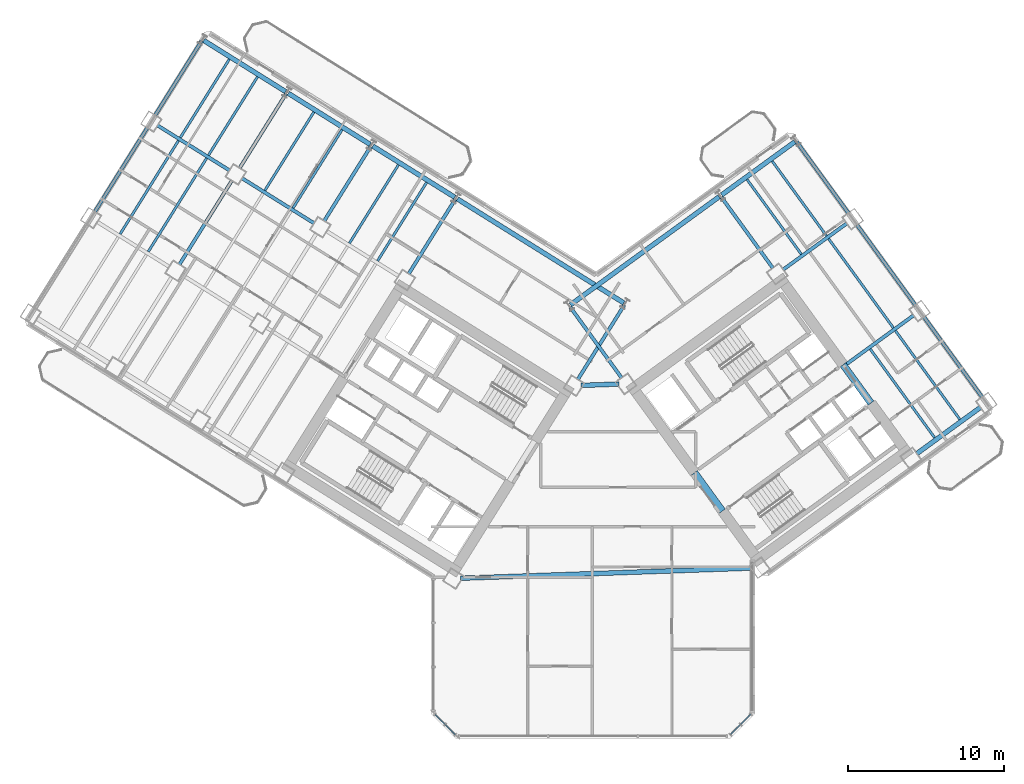
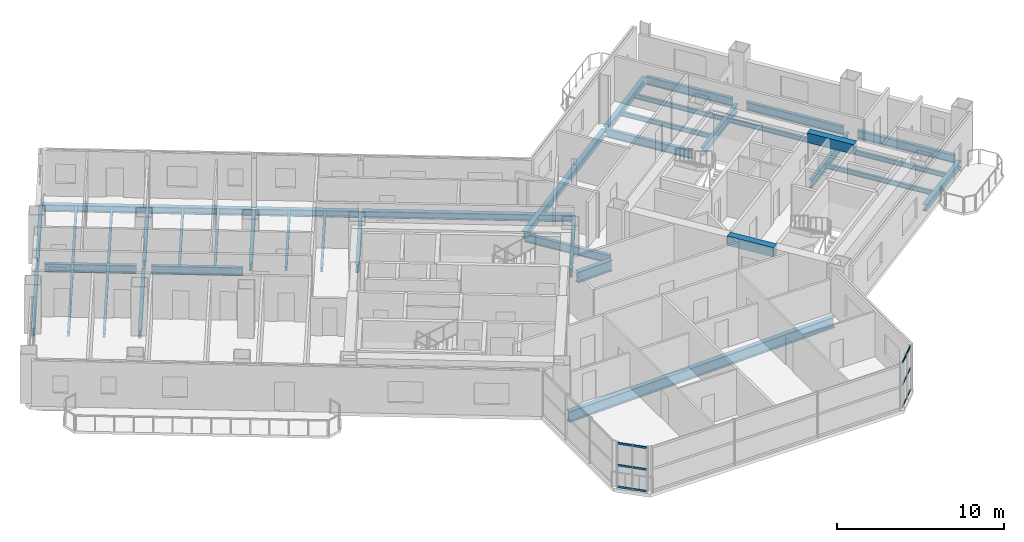
# One storey, part 7 of 21: 40 beams, 12 members, 2 elements without a shape of their own.
"""IFC4 building model written with IfcOpenShell, lengths in metres."""

from ifc_helpers import new_model, si_unit, direction, frame, origin, origin_2d, place, context, subcontext, project, spatial, rectangle, hollow_rectangle, i_section, extrude, source, transform, mapped, material, material_profile, profile_set, type_object, element, aggregate, save


model = new_model("IFC4")

# Units and contexts
model_context = context("Model", 3, precision=1e-05, world=origin(), true_north=direction((0.0, 1.0)))
body_context = subcontext(model_context, "Body", "Model", "MODEL_VIEW")
ifc_project = project(units=[si_unit("LENGTHUNIT", "METRE"), si_unit("AREAUNIT", "SQUARE_METRE"), si_unit("VOLUMEUNIT", "CUBIC_METRE"), si_unit("PLANEANGLEUNIT", "RADIAN"), si_unit("MASSUNIT", "GRAM", prefix="KILO")], contexts=[model_context])

# Site, building, storey
site_placement = place(None, origin())
site = spatial("IfcSite", under=ifc_project, at=site_placement, CompositionType="ELEMENT")
building_placement = place(site_placement, origin())
building = spatial("IfcBuilding", under=site, at=building_placement, Name="Tlacorven Tower", CompositionType="ELEMENT")
storey_placement = place(building_placement, frame((0.0, 0.0, 81.0)))
storey = spatial("IfcBuildingStorey", under=building, at=storey_placement, Name="L20", CompositionType="ELEMENT", Elevation=81.0)

# Beams
ifc_material_1 = material(Name="Concrete C60/75", Category="concrete")
ifc_material_profile_1 = material_profile(ifc_material_1, rectangle(XDim=0.449951171875, YDim=0.699951171875, at=origin_2d()), Name="RC 450X700")
ifc_profile_set_1 = profile_set([ifc_material_profile_1], Name="Concrete C60/75")
beam_type_1 = type_object("IfcBeamType", Name="BM-LNT-700", PredefinedType="LINTEL", material=ifc_profile_set_1)
shared_shape_1 = source(origin(), body_context, "Body", "SweptSolid", [
    extrude(rectangle(XDim=0.449951171875, YDim=0.699951171875, at=origin_2d()), origin(), (0.0, 0.0, 1.0), 3.050048828125),
])
for number, where, z_axis, x_axis, name in (
    (1, (50.318359375, 16.416015625, 2.969970703125), (-0.587776590479, 0.80902328748, 0.0), (-0.80902328748, -0.587776590479, 0.0), "L20 E core coupling lintel beam E1"),
    (2, (59.856689453125, 23.345947265625, 2.969970703125), (-0.587776590479, 0.80902328748, 0.0), (-0.80902328748, -0.587776590479, 0.0), "L20 E core coupling lintel beam E2"),
):
    element("IfcBeam", number, at=place(storey_placement, frame(where, z_axis=z_axis, x_axis=x_axis)), inside=storey, type_object=beam_type_1, Name=name, PredefinedType="LINTEL", context=body_context, shape_type="MappedRepresentation", body=[
        mapped(shared_shape_1, transform((0.0, 0.0, 0.0), scale=1.0)),
    ])
ifc_material_2 = material(Name="Steel S355J2", Category="steel")
ifc_material_profile_2 = material_profile(ifc_material_2, i_section(OverallWidth=0.300048828125, OverallDepth=0.800048828125, WebThickness=0.017578125, FlangeThickness=0.032958984375, at=origin_2d()), Name="HEB 800")
ifc_profile_set_2 = profile_set([ifc_material_profile_2], Name="Steel S355J2")
beam_type_2 = type_object("IfcBeamType", Name="BM-POD-800", PredefinedType="BEAM", material=ifc_profile_set_2)
shared_shape_2 = source(origin(), body_context, "Body", "SweptSolid", [
    extrude(i_section(OverallWidth=0.300048828125, OverallDepth=0.800048828125, WebThickness=0.017578125, FlangeThickness=0.032958984375, at=origin_2d()), origin(), (0.0, 0.0, 1.0), 2.44287109375),
])
beam_1_placement = place(storey_placement, frame((41.232666015625, 24.484130859375, -0.64990234375), z_axis=(0.999391550767, 0.034878765122, 0.0), x_axis=(-0.034878765122, 0.999391550767, 0.0)))
element("IfcBeam", 3, at=beam_1_placement, inside=storey, type_object=beam_type_2, Name="L20 Knuckle Link Girder 1", PredefinedType="BEAM", context=body_context, shape_type="MappedRepresentation", body=[
    mapped(shared_shape_2, transform((0.0, 0.0, 0.0), scale=1.0)),
])
shared_shape_3 = source(origin(), body_context, "Body", "SweptSolid", [
    extrude(i_section(OverallWidth=0.300048828125, OverallDepth=0.800048828125, WebThickness=0.017578125, FlangeThickness=0.032958984375, at=origin_2d()), origin(), (0.0, 0.0, 1.0), 18.771240234375),
])
beam_2_placement = place(storey_placement, frame((33.495849609375, 12.1025390625, -0.64990234375), z_axis=(0.999390514848, 0.034908434954, 0.0), x_axis=(-0.034908434954, 0.999390514848, 0.0)))
element("IfcBeam", 4, at=beam_2_placement, inside=storey, type_object=beam_type_2, Name="L20 Knuckle Link Girder 2", PredefinedType="BEAM", context=body_context, shape_type="MappedRepresentation", body=[
    mapped(shared_shape_3, transform((0.0, 0.0, 0.0), scale=1.0)),
])
ifc_material_profile_3 = material_profile(ifc_material_2, i_section(OverallWidth=0.219970703125, OverallDepth=0.60009765625, WebThickness=0.011962890625, FlangeThickness=0.01904296875, at=origin_2d()), Name="IPE 600")
ifc_profile_set_3 = profile_set([ifc_material_profile_3], Name="Steel S355J2")
beam_type_3 = type_object("IfcBeamType", Name="BM-TWR-600", PredefinedType="BEAM", material=ifc_profile_set_3)
shared_shape_4 = source(origin(), body_context, "Body", "SweptSolid", [
    extrude(i_section(OverallWidth=0.219970703125, OverallDepth=0.60009765625, WebThickness=0.011962890625, FlangeThickness=0.01904296875, at=origin_2d()), origin(), (0.0, 0.0, 1.0), 5.5),
])
for number, where, z_axis, x_axis, name in (
    (5, (24.118896484375, 34.88134765625, -0.550048828125), (-0.848050668838, 0.52991514706, 0.0), (-0.52991514706, -0.848050668838, 0.0), "L20 beam BM-L20-WL2-4"),
    (6, (18.69140625, 38.272705078125, -0.550048828125), (-0.848050668838, 0.52991514706, 0.0), (-0.52991514706, -0.848050668838, 0.0), "L20 beam BM-L20-WL2-5"),
):
    element("IfcBeam", number, at=place(storey_placement, frame(where, z_axis=z_axis, x_axis=x_axis)), inside=storey, type_object=beam_type_3, Name=name, PredefinedType="BEAM", context=body_context, shape_type="MappedRepresentation", body=[
        mapped(shared_shape_4, transform((0.0, 0.0, 0.0), scale=1.0)),
    ])
ifc_material_profile_4 = material_profile(ifc_material_2, i_section(OverallWidth=0.300048828125, OverallDepth=0.489990234375, WebThickness=0.011962890625, FlangeThickness=0.02294921875, at=origin_2d()), Name="HEA 500")
ifc_profile_set_4 = profile_set([ifc_material_profile_4], Name="Steel S355J2")
beam_type_4 = type_object("IfcBeamType", Name="BM-SPN-500", PredefinedType="SPANDREL", material=ifc_profile_set_4)
shared_shape_5 = source(origin(), body_context, "Body", "SweptSolid", [
    extrude(i_section(OverallWidth=0.300048828125, OverallDepth=0.489990234375, WebThickness=0.011962890625, FlangeThickness=0.02294921875, at=origin_2d()), origin(), (0.0, 0.0, 1.0), 12.599853515625),
])
beam_3_placement = place(storey_placement, frame((43.983642578125, 29.779296875, -0.4951171875), z_axis=(-0.848045108756, 0.529924045043, 0.0), x_axis=(-0.529924045043, -0.848045108756, 0.0)))
element("IfcBeam", 7, at=beam_3_placement, inside=storey, type_object=beam_type_4, Name="L20 beam BM-L20-WL1-1", PredefinedType="SPANDREL", context=body_context, shape_type="MappedRepresentation", body=[
    mapped(shared_shape_5, transform((0.0, 0.0, 0.0), scale=1.0)),
])
shared_shape_6 = source(origin(), body_context, "Body", "SweptSolid", [
    extrude(i_section(OverallWidth=0.300048828125, OverallDepth=0.489990234375, WebThickness=0.011962890625, FlangeThickness=0.02294921875, at=origin_2d()), origin(), (0.0, 0.0, 1.0), 6.199951171875),
])
beam_4_placement = place(storey_placement, frame((33.128662109375, 36.562255859375, -0.4951171875), z_axis=(-0.848051394107, 0.529913986372, 0.0), x_axis=(-0.529913986372, -0.848051394107, 0.0)))
element("IfcBeam", 8, at=beam_4_placement, inside=storey, type_object=beam_type_4, Name="L20 beam BM-L20-WL1-3", PredefinedType="SPANDREL", context=body_context, shape_type="MappedRepresentation", body=[
    mapped(shared_shape_6, transform((0.0, 0.0, 0.0), scale=1.0)),
])
shared_shape_7 = source(origin(), body_context, "Body", "SweptSolid", [
    extrude(i_section(OverallWidth=0.219970703125, OverallDepth=0.60009765625, WebThickness=0.011962890625, FlangeThickness=0.01904296875, at=origin_2d()), origin(), (0.0, 0.0, 1.0), 5.64990234375),
])
for number, where, z_axis, x_axis, name in (
    (9, (44.015380859375, 29.6416015625, -0.550048828125), (-0.529897948462, -0.848061415356, 0.0), (0.848061415356, -0.529897948462, 0.0), "L20 beam BM-L20-WT1-1"),
    (10, (33.160400390625, 36.424560546875, -0.550048828125), (-0.529897948462, -0.848061415356, 0.0), (0.848061415356, -0.529897948462, 0.0), "L20 beam BM-L20-WT3-1"),
    (11, (27.73291015625, 39.81591796875, -0.550048828125), (-0.529897948462, -0.848061415356, 0.0), (0.848061415356, -0.529897948462, 0.0), "L20 beam BM-L20-WT4-1"),
    (12, (53.5673828125, 32.00244140625, -0.550048828125), (-0.587755393186, 0.809038687444, 0.0), (-0.809038687444, -0.587755393186, 0.0), "L20 beam BM-L20-ET3-2"),
    (13, (58.421630859375, 35.529296875, -0.550048828125), (-0.587804223572, 0.809003210594, 0.0), (-0.809003210594, -0.587804223572, 0.0), "L20 beam BM-L20-ET4-3"),
):
    element("IfcBeam", number, at=place(storey_placement, frame(where, z_axis=z_axis, x_axis=x_axis)), inside=storey, type_object=beam_type_3, Name=name, PredefinedType="BEAM", context=body_context, shape_type="MappedRepresentation", body=[
        mapped(shared_shape_7, transform((0.0, 0.0, 0.0), scale=1.0)),
    ])
shared_shape_8 = source(origin(), body_context, "Body", "SweptSolid", [
    extrude(i_section(OverallWidth=0.219970703125, OverallDepth=0.60009765625, WebThickness=0.011962890625, FlangeThickness=0.01904296875, at=origin_2d()), origin(), (0.0, 0.0, 1.0), 5.650146484375),
])
for number, where, z_axis, x_axis, name in (
    (14, (22.305419921875, 43.20751953125, -0.550048828125), (-0.529929025184, -0.848041996759, 0.0), (0.848041996759, -0.529929025184, 0.0), "L20 beam BM-L20-WT5-1"),
    (15, (16.8779296875, 46.598876953125, -0.550048828125), (-0.529929025184, -0.848041996759, 0.0), (0.848041996759, -0.529929025184, 0.0), "L20 beam BM-L20-WT6-1"),
):
    element("IfcBeam", number, at=place(storey_placement, frame(where, z_axis=z_axis, x_axis=x_axis)), inside=storey, type_object=beam_type_3, Name=name, PredefinedType="BEAM", context=body_context, shape_type="MappedRepresentation", body=[
        mapped(shared_shape_8, transform((0.0, 0.0, 0.0), scale=1.0)),
    ])
shared_shape_9 = source(origin(), body_context, "Body", "SweptSolid", [
    extrude(i_section(OverallWidth=0.219970703125, OverallDepth=0.60009765625, WebThickness=0.011962890625, FlangeThickness=0.01904296875, at=origin_2d()), origin(), (0.0, 0.0, 1.0), 6.39990234375),
])
for number, where, z_axis, x_axis, name in (
    (16, (67.003173828125, 23.717529296875, -0.550048828125), (-0.587772420479, 0.809026317077, 0.0), (-0.809026317077, -0.587772420479, 0.0), "L20 beam BM-L20-ET4-1"),
    (17, (62.71240234375, 29.62353515625, -0.550048828125), (-0.587815528162, 0.808994996803, 0.0), (-0.808994996803, -0.587815528162, 0.0), "L20 beam BM-L20-ET4-2"),
):
    element("IfcBeam", number, at=place(storey_placement, frame(where, z_axis=z_axis, x_axis=x_axis)), inside=storey, type_object=beam_type_3, Name=name, PredefinedType="BEAM", context=body_context, shape_type="MappedRepresentation", body=[
        mapped(shared_shape_9, transform((0.0, 0.0, 0.0), scale=1.0)),
    ])
shared_shape_10 = source(origin(), body_context, "Body", "SweptSolid", [
    extrude(i_section(OverallWidth=0.219970703125, OverallDepth=0.60009765625, WebThickness=0.011962890625, FlangeThickness=0.01904296875, at=origin_2d()), origin(), (0.0, 0.0, 1.0), 6.400146484375),
])
for number, where, z_axis, x_axis, name in (
    (18, (18.83447265625, 37.652587890625, -0.550048828125), (-0.529933789039, -0.848039019877, 0.0), (0.848039019877, -0.529933789039, 0.0), "L20 beam BM-L20-WT5-2"),
    (19, (13.406982421875, 41.044189453125, -0.550048828125), (-0.529933789039, -0.848039019877, 0.0), (0.848039019877, -0.529933789039, 0.0), "L20 beam BM-L20-WT6-2"),
):
    element("IfcBeam", number, at=place(storey_placement, frame(where, z_axis=z_axis, x_axis=x_axis)), inside=storey, type_object=beam_type_3, Name=name, PredefinedType="BEAM", context=body_context, shape_type="MappedRepresentation", body=[
        mapped(shared_shape_10, transform((0.0, 0.0, 0.0), scale=1.0)),
    ])
ifc_material_profile_5 = material_profile(ifc_material_2, i_section(OverallWidth=0.159912109375, OverallDepth=0.330078125, WebThickness=0.007568359375, FlangeThickness=0.011474609375, at=origin_2d()), Name="IPE 330")
ifc_profile_set_5 = profile_set([ifc_material_profile_5], Name="Steel S355J2")
beam_type_5 = type_object("IfcBeamType", Name="BM-JST-330", PredefinedType="JOIST", material=ifc_profile_set_5)
shared_shape_11 = source(origin(), body_context, "Body", "SweptSolid", [
    extrude(i_section(OverallWidth=0.159912109375, OverallDepth=0.330078125, WebThickness=0.007568359375, FlangeThickness=0.011474609375, at=origin_2d()), origin(), (0.0, 0.0, 1.0), 7.030029296875),
])
beam_5_placement = place(storey_placement, frame((63.9404296875, 21.127685546875, -0.4150390625), z_axis=(-0.587773097846, 0.809025824958, 0.0), x_axis=(-0.809025824958, -0.587773097846, 0.0)))
element("IfcBeam", 20, at=beam_5_placement, inside=storey, type_object=beam_type_5, Name="L20 beam BM-L20-EJ3-1-1", PredefinedType="JOIST", context=body_context, shape_type="MappedRepresentation", body=[
    mapped(shared_shape_11, transform((0.0, 0.0, 0.0), scale=1.0)),
])
shared_shape_12 = source(origin(), body_context, "Body", "SweptSolid", [
    extrude(i_section(OverallWidth=0.159912109375, OverallDepth=0.330078125, WebThickness=0.007568359375, FlangeThickness=0.011474609375, at=origin_2d()), origin(), (0.0, 0.0, 1.0), 5.93017578125),
])
for number, where, z_axis, x_axis, name in (
    (21, (31.322265625, 37.50830078125, -0.4150390625), (-0.529928626913, -0.848042245633, 0.0), (0.848042245633, -0.529928626913, 0.0), "L20 beam BM-L20-WJ3-1-1"),
    (22, (29.512939453125, 38.638916015625, -0.4150390625), (-0.529899018132, -0.848060746989, 0.0), (0.848060746989, -0.529899018132, 0.0), "L20 beam BM-L20-WJ3-1-2"),
    (23, (20.467041015625, 44.291259765625, -0.4150390625), (-0.529899018132, -0.848060746989, 0.0), (0.848060746989, -0.529899018132, 0.0), "L20 beam BM-L20-WJ5-1-1"),
    (24, (18.657958984375, 45.421875, -0.4150390625), (-0.529928626913, -0.848042245633, 0.0), (0.848042245633, -0.529928626913, 0.0), "L20 beam BM-L20-WJ5-1-2"),
    (25, (55.38232421875, 32.906982421875, -0.4150390625), (-0.587777512947, 0.809022617282, 0.0), (-0.809022617282, -0.587777512947, 0.0), "L20 beam BM-L20-EJ3-3-1"),
):
    element("IfcBeam", number, at=place(storey_placement, frame(where, z_axis=z_axis, x_axis=x_axis)), inside=storey, type_object=beam_type_5, Name=name, PredefinedType="JOIST", context=body_context, shape_type="MappedRepresentation", body=[
        mapped(shared_shape_12, transform((0.0, 0.0, 0.0), scale=1.0)),
    ])
shared_shape_13 = source(origin(), body_context, "Body", "SweptSolid", [
    extrude(i_section(OverallWidth=0.159912109375, OverallDepth=0.330078125, WebThickness=0.007568359375, FlangeThickness=0.011474609375, at=origin_2d()), origin(), (0.0, 0.0, 1.0), 7.070068359375),
])
for number, where, z_axis, x_axis, name in (
    (26, (17.202880859375, 39.0673828125, -0.4150390625), (-0.529915131461, -0.848050678585, 0.0), (0.848050678585, -0.529915131461, 0.0), "L20 beam BM-L20-WJ5-2-1"),
    (27, (15.3935546875, 40.19775390625, -0.4150390625), (-0.529930649952, -0.848040981463, 0.0), (0.848040981463, -0.529930649952, 0.0), "L20 beam BM-L20-WJ5-2-2"),
    (28, (61.291259765625, 28.1767578125, -0.4150390625), (-0.587797946309, 0.80900777148, 0.0), (-0.80900777148, -0.587797946309, 0.0), "L20 beam BM-L20-EJ3-2-2"),
):
    element("IfcBeam", number, at=place(storey_placement, frame(where, z_axis=z_axis, x_axis=x_axis)), inside=storey, type_object=beam_type_5, Name=name, PredefinedType="JOIST", context=body_context, shape_type="MappedRepresentation", body=[
        mapped(shared_shape_13, transform((0.0, 0.0, 0.0), scale=1.0)),
    ])
shared_shape_14 = source(origin(), body_context, "Body", "SweptSolid", [
    extrude(i_section(OverallWidth=0.159912109375, OverallDepth=0.330078125, WebThickness=0.007568359375, FlangeThickness=0.011474609375, at=origin_2d()), origin(), (0.0, 0.0, 1.0), 5.929931640625),
])
for number, where, z_axis, x_axis, name in (
    (29, (25.894775390625, 40.899658203125, -0.4150390625), (-0.529947128902, -0.848030683742, 0.0), (0.848030683742, -0.529947128902, 0.0), "L20 beam BM-L20-WJ4-1-1"),
    (30, (24.08544921875, 42.0302734375, -0.4150390625), (-0.529917519894, -0.848049186138, 0.0), (0.848049186138, -0.529917519894, 0.0), "L20 beam BM-L20-WJ4-1-2"),
    (31, (57.00048828125, 34.082763671875, -0.4150390625), (-0.587797090585, 0.80900839322, 0.0), (-0.80900839322, -0.587797090585, 0.0), "L20 beam BM-L20-EJ3-3-2"),
):
    element("IfcBeam", number, at=place(storey_placement, frame(where, z_axis=z_axis, x_axis=x_axis)), inside=storey, type_object=beam_type_5, Name=name, PredefinedType="JOIST", context=body_context, shape_type="MappedRepresentation", body=[
        mapped(shared_shape_14, transform((0.0, 0.0, 0.0), scale=1.0)),
    ])
shared_shape_15 = source(origin(), body_context, "Body", "SweptSolid", [
    extrude(i_section(OverallWidth=0.300048828125, OverallDepth=0.489990234375, WebThickness=0.011962890625, FlangeThickness=0.02294921875, at=origin_2d()), origin(), (0.0, 0.0, 1.0), 11.800048828125),
])
beam_6_placement = place(storey_placement, frame((40.560302734375, 29.65966796875, -0.4951171875), z_axis=(0.80900977213, 0.587795192732, 0.0), x_axis=(-0.587795192732, 0.80900977213, 0.0)))
element("IfcBeam", 32, at=beam_6_placement, inside=storey, type_object=beam_type_4, Name="L20 beam BM-L20-EL4-1", PredefinedType="SPANDREL", context=body_context, shape_type="MappedRepresentation", body=[
    mapped(shared_shape_15, transform((0.0, 0.0, 0.0), scale=1.0)),
])
shared_shape_16 = source(origin(), body_context, "Body", "SweptSolid", [
    extrude(i_section(OverallWidth=0.300048828125, OverallDepth=0.489990234375, WebThickness=0.011962890625, FlangeThickness=0.02294921875, at=origin_2d()), origin(), (0.0, 0.0, 1.0), 5.800048828125),
])
beam_7_placement = place(storey_placement, frame((50.2685546875, 36.713134765625, -0.4951171875), z_axis=(0.809019944521, 0.587781191743, 0.0), x_axis=(-0.587781191743, 0.809019944521, 0.0)))
element("IfcBeam", 33, at=beam_7_placement, inside=storey, type_object=beam_type_4, Name="L20 beam BM-L20-EL4-3", PredefinedType="SPANDREL", context=body_context, shape_type="MappedRepresentation", body=[
    mapped(shared_shape_16, transform((0.0, 0.0, 0.0), scale=1.0)),
])
shared_shape_17 = source(origin(), body_context, "Body", "SweptSolid", [
    extrude(i_section(OverallWidth=0.219970703125, OverallDepth=0.60009765625, WebThickness=0.011962890625, FlangeThickness=0.01904296875, at=origin_2d()), origin(), (0.0, 0.0, 1.0), 5.510009765625),
])
beam_8_placement = place(storey_placement, frame((58.155029296875, 25.756103515625, -0.550048828125), z_axis=(0.809015730594, 0.587786991734, 0.0), x_axis=(-0.587786991734, 0.809015730594, 0.0)))
element("IfcBeam", 34, at=beam_8_placement, inside=storey, type_object=beam_type_3, Name="L20 beam BM-L20-EL2-3", PredefinedType="BEAM", context=body_context, shape_type="MappedRepresentation", body=[
    mapped(shared_shape_17, transform((0.0, 0.0, 0.0), scale=1.0)),
])
shared_shape_18 = source(origin(), body_context, "Body", "SweptSolid", [
    extrude(i_section(OverallWidth=0.300048828125, OverallDepth=0.489990234375, WebThickness=0.011962890625, FlangeThickness=0.02294921875, at=origin_2d()), origin(), (0.0, 0.0, 1.0), 6.2001953125),
])
for number, where, z_axis, x_axis, name in (
    (35, (27.701171875, 39.95361328125, -0.4951171875), (-0.84804475579, 0.5299246099, 0.0), (-0.5299246099, -0.84804475579, 0.0), "L20 beam BM-L20-WL1-4"),
    (36, (22.273681640625, 43.34521484375, -0.4951171875), (-0.848062451332, 0.529896290457, 0.0), (-0.529896290457, -0.848062451332, 0.0), "L20 beam BM-L20-WL1-5"),
):
    element("IfcBeam", number, at=place(storey_placement, frame(where, z_axis=z_axis, x_axis=x_axis)), inside=storey, type_object=beam_type_4, Name=name, PredefinedType="SPANDREL", context=body_context, shape_type="MappedRepresentation", body=[
        mapped(shared_shape_18, transform((0.0, 0.0, 0.0), scale=1.0)),
    ])
shared_shape_19 = source(origin(), body_context, "Body", "SweptSolid", [
    extrude(i_section(OverallWidth=0.300048828125, OverallDepth=0.489990234375, WebThickness=0.011962890625, FlangeThickness=0.02294921875, at=origin_2d()), origin(), (0.0, 0.0, 1.0), 5.10009765625),
])
beam_9_placement = place(storey_placement, frame((62.777587890625, 20.09130859375, -0.4951171875), z_axis=(0.809007176828, 0.58779876475, 0.0), x_axis=(-0.58779876475, 0.809007176828, 0.0)))
element("IfcBeam", 37, at=beam_9_placement, inside=storey, type_object=beam_type_4, Name="L20 beam BM-L20-EL1-3", PredefinedType="SPANDREL", context=body_context, shape_type="MappedRepresentation", body=[
    mapped(shared_shape_19, transform((0.0, 0.0, 0.0), scale=1.0)),
])
shared_shape_20 = source(origin(), body_context, "Body", "SweptSolid", [
    extrude(i_section(OverallWidth=0.219970703125, OverallDepth=0.60009765625, WebThickness=0.011962890625, FlangeThickness=0.01904296875, at=origin_2d()), origin(), (0.0, 0.0, 1.0), 5.099853515625),
])
beam_10_placement = place(storey_placement, frame((54.196044921875, 31.903076171875, -0.550048828125), z_axis=(0.809029940764, 0.587767432704, 0.0), x_axis=(-0.587767432704, 0.809029940764, 0.0)))
element("IfcBeam", 38, at=beam_10_placement, inside=storey, type_object=beam_type_3, Name="L20 beam BM-L20-EL3-3", PredefinedType="BEAM", context=body_context, shape_type="MappedRepresentation", body=[
    mapped(shared_shape_20, transform((0.0, 0.0, 0.0), scale=1.0)),
])
shared_shape_21 = source(origin(), body_context, "Body", "SweptSolid", [
    extrude(i_section(OverallWidth=0.219970703125, OverallDepth=0.60009765625, WebThickness=0.011962890625, FlangeThickness=0.01904296875, at=origin_2d()), origin(), (0.0, 0.0, 1.0), 5.649658203125),
])
beam_11_placement = place(storey_placement, frame((43.859130859375, 24.94921875, -0.550048828125), z_axis=(-0.587775941251, 0.809023759161, 0.0), x_axis=(-0.809023759161, -0.587775941251, 0.0)))
element("IfcBeam", 39, at=beam_11_placement, inside=storey, type_object=beam_type_3, Name="L20 beam BM-L20-ET1-2", PredefinedType="BEAM", context=body_context, shape_type="MappedRepresentation", body=[
    mapped(shared_shape_21, transform((0.0, 0.0, 0.0), scale=1.0)),
])
shared_shape_22 = source(origin(), body_context, "Body", "SweptSolid", [
    extrude(i_section(OverallWidth=0.159912109375, OverallDepth=0.330078125, WebThickness=0.007568359375, FlangeThickness=0.011474609375, at=origin_2d()), origin(), (0.0, 0.0, 1.0), 7.02978515625),
])
beam_12_placement = place(storey_placement, frame((65.55859375, 22.303466796875, -0.4150390625), z_axis=(-0.587789612219, 0.809013826685, 0.0), x_axis=(-0.809013826685, -0.587789612219, 0.0)))
element("IfcBeam", 40, at=beam_12_placement, inside=storey, type_object=beam_type_5, Name="L20 beam BM-L20-EJ3-1-2", PredefinedType="JOIST", context=body_context, shape_type="MappedRepresentation", body=[
    mapped(shared_shape_22, transform((0.0, 0.0, 0.0), scale=1.0)),
])

# Curtain wall, members
ifc_material_3 = material(Name="Dark solar low-E double glazing in aluminium frame", Category="aluminium")
curtain_wall_type = type_object("IfcCurtainWallType", Name="CW-TWR-LOW", PredefinedType="USERDEFINED", material=ifc_material_3)
curtain_wall_1_placement = place(storey_placement, origin())
curtain_wall_1 = element("IfcCurtainWall", 41, at=curtain_wall_1_placement, inside=storey, type_object=curtain_wall_type, Name="L20 CW-TWR-LOW Curtain Wall 107", ObjectType="UNITISED CURTAIN WALL", PredefinedType="USERDEFINED")
ifc_material_4 = material(Name="Aluminium 6063-T6 anodised", Category="aluminium")
ifc_material_profile_6 = material_profile(ifc_material_4, hollow_rectangle(XDim=0.06005859375, YDim=0.139892578125, WallThickness=0.00390625, at=origin_2d()), Name="ALU TRANSOM 60X140")
ifc_profile_set_6 = profile_set([ifc_material_profile_6], Name="Aluminium 6063-T6 anodised")
member_type = type_object("IfcMemberType", Name="CWT-02", PredefinedType="USERDEFINED", material=ifc_profile_set_6)
shared_shape_23 = source(origin(), body_context, "Body", "SweptSolid", [
    extrude(hollow_rectangle(XDim=0.06005859375, YDim=0.139892578125, WallThickness=0.00390625, at=origin_2d()), origin(), (0.0, 0.0, 1.0), 0.8837890625),
])
member_1_placement = place(storey_placement, frame((52.128173828125, 3.3544921875, 0.070068359375), z_axis=(-0.707106781187, -0.707106781187, 0.0), x_axis=(0.707106781187, -0.707106781187, 0.0)))
member_1 = element("IfcMember", 42, at=member_1_placement, type_object=member_type, Name="CW-L20-107 Transom 1", ObjectType="TRANSOM", PredefinedType="USERDEFINED", context=body_context, shape_type="MappedRepresentation", body=[
    mapped(shared_shape_23, transform((0.0, 0.0, 0.0), scale=1.0)),
])
member_2_placement = place(storey_placement, frame((52.128173828125, 3.3544921875, 1.659912109375), z_axis=(-0.707106781187, -0.707106781187, 0.0), x_axis=(0.707106781187, -0.707106781187, 0.0)))
member_2 = element("IfcMember", 43, at=member_2_placement, type_object=member_type, Name="CW-L20-107 Transom 2", ObjectType="TRANSOM", PredefinedType="USERDEFINED", context=body_context, shape_type="MappedRepresentation", body=[
    mapped(shared_shape_23, transform((0.0, 0.0, 0.0), scale=1.0)),
])
member_3_placement = place(storey_placement, frame((52.128173828125, 3.3544921875, 3.25), z_axis=(-0.707106781187, -0.707106781187, 0.0), x_axis=(0.707106781187, -0.707106781187, 0.0)))
member_3 = element("IfcMember", 44, at=member_3_placement, type_object=member_type, Name="CW-L20-107 Transom 3", ObjectType="TRANSOM", PredefinedType="USERDEFINED", context=body_context, shape_type="MappedRepresentation", body=[
    mapped(shared_shape_23, transform((0.0, 0.0, 0.0), scale=1.0)),
])

curtain_wall_2_placement = place(storey_placement, origin())
curtain_wall_2 = element("IfcCurtainWall", 45, at=curtain_wall_2_placement, inside=storey, type_object=curtain_wall_type, Name="L20 CW-TWR-LOW Curtain Wall 109", ObjectType="UNITISED CURTAIN WALL", PredefinedType="USERDEFINED")
member_4_placement = place(storey_placement, frame((32.496826171875, 2.7294921875, 0.070068359375), z_axis=(-0.707106781187, 0.707106781187, 0.0), x_axis=(-0.707106781187, -0.707106781187, 0.0)))
member_4 = element("IfcMember", 46, at=member_4_placement, type_object=member_type, Name="CW-L20-109 Transom 4", ObjectType="TRANSOM", PredefinedType="USERDEFINED", context=body_context, shape_type="MappedRepresentation", body=[
    mapped(shared_shape_23, transform((0.0, 0.0, 0.0), scale=1.0)),
])
member_5_placement = place(storey_placement, frame((32.496826171875, 2.7294921875, 1.659912109375), z_axis=(-0.707106781187, 0.707106781187, 0.0), x_axis=(-0.707106781187, -0.707106781187, 0.0)))
member_5 = element("IfcMember", 47, at=member_5_placement, type_object=member_type, Name="CW-L20-109 Transom 5", ObjectType="TRANSOM", PredefinedType="USERDEFINED", context=body_context, shape_type="MappedRepresentation", body=[
    mapped(shared_shape_23, transform((0.0, 0.0, 0.0), scale=1.0)),
])
member_6_placement = place(storey_placement, frame((32.496826171875, 2.7294921875, 3.25), z_axis=(-0.707106781187, 0.707106781187, 0.0), x_axis=(-0.707106781187, -0.707106781187, 0.0)))
member_6 = element("IfcMember", 48, at=member_6_placement, type_object=member_type, Name="CW-L20-109 Transom 6", ObjectType="TRANSOM", PredefinedType="USERDEFINED", context=body_context, shape_type="MappedRepresentation", body=[
    mapped(shared_shape_23, transform((0.0, 0.0, 0.0), scale=1.0)),
])

# Member
shared_shape_24 = source(origin(), body_context, "Body", "SweptSolid", [
    extrude(hollow_rectangle(XDim=0.06005859375, YDim=0.139892578125, WallThickness=0.00390625, at=origin_2d()), origin(), (0.0, 0.0, 1.0), 0.884033203125),
])
member_7_placement = place(storey_placement, frame((51.470703125, 2.69677734375, 0.070068359375), z_axis=(-0.707244847527, -0.706968687883, 0.0), x_axis=(0.706968687883, -0.707244847527, 0.0)))
member_7 = element("IfcMember", 49, at=member_7_placement, type_object=member_type, Name="CW-L20-107 Transom 4", ObjectType="TRANSOM", PredefinedType="USERDEFINED", context=body_context, shape_type="MappedRepresentation", body=[
    mapped(shared_shape_24, transform((0.0, 0.0, 0.0), scale=1.0)),
])

member_8_placement = place(storey_placement, frame((51.470703125, 2.69677734375, 1.659912109375), z_axis=(-0.707244847527, -0.706968687883, 0.0), x_axis=(0.706968687883, -0.707244847527, 0.0)))
member_8 = element("IfcMember", 50, at=member_8_placement, type_object=member_type, Name="CW-L20-107 Transom 5", ObjectType="TRANSOM", PredefinedType="USERDEFINED", context=body_context, shape_type="MappedRepresentation", body=[
    mapped(shared_shape_24, transform((0.0, 0.0, 0.0), scale=1.0)),
])

member_9_placement = place(storey_placement, frame((51.470703125, 2.69677734375, 3.25), z_axis=(-0.707244847527, -0.706968687883, 0.0), x_axis=(0.706968687883, -0.707244847527, 0.0)))
member_9 = element("IfcMember", 51, at=member_9_placement, type_object=member_type, Name="CW-L20-107 Transom 6", ObjectType="TRANSOM", PredefinedType="USERDEFINED", context=body_context, shape_type="MappedRepresentation", body=[
    mapped(shared_shape_24, transform((0.0, 0.0, 0.0), scale=1.0)),
])

aggregate(curtain_wall_1, [member_1, member_2, member_3, member_7, member_8, member_9])

member_10_placement = place(storey_placement, frame((33.154541015625, 2.07177734375, 0.070068359375), z_axis=(-0.707244847527, 0.706968687883, 0.0), x_axis=(-0.706968687883, -0.707244847527, 0.0)))
member_10 = element("IfcMember", 52, at=member_10_placement, type_object=member_type, Name="CW-L20-109 Transom 1", ObjectType="TRANSOM", PredefinedType="USERDEFINED", context=body_context, shape_type="MappedRepresentation", body=[
    mapped(shared_shape_24, transform((0.0, 0.0, 0.0), scale=1.0)),
])

member_11_placement = place(storey_placement, frame((33.154541015625, 2.07177734375, 1.659912109375), z_axis=(-0.707244847527, 0.706968687883, 0.0), x_axis=(-0.706968687883, -0.707244847527, 0.0)))
member_11 = element("IfcMember", 53, at=member_11_placement, type_object=member_type, Name="CW-L20-109 Transom 2", ObjectType="TRANSOM", PredefinedType="USERDEFINED", context=body_context, shape_type="MappedRepresentation", body=[
    mapped(shared_shape_24, transform((0.0, 0.0, 0.0), scale=1.0)),
])

member_12_placement = place(storey_placement, frame((33.154541015625, 2.07177734375, 3.25), z_axis=(-0.707244847527, 0.706968687883, 0.0), x_axis=(-0.706968687883, -0.707244847527, 0.0)))
member_12 = element("IfcMember", 54, at=member_12_placement, type_object=member_type, Name="CW-L20-109 Transom 3", ObjectType="TRANSOM", PredefinedType="USERDEFINED", context=body_context, shape_type="MappedRepresentation", body=[
    mapped(shared_shape_24, transform((0.0, 0.0, 0.0), scale=1.0)),
])

aggregate(curtain_wall_2, [member_10, member_11, member_12, member_4, member_5, member_6])

save(model, "model.ifc")
